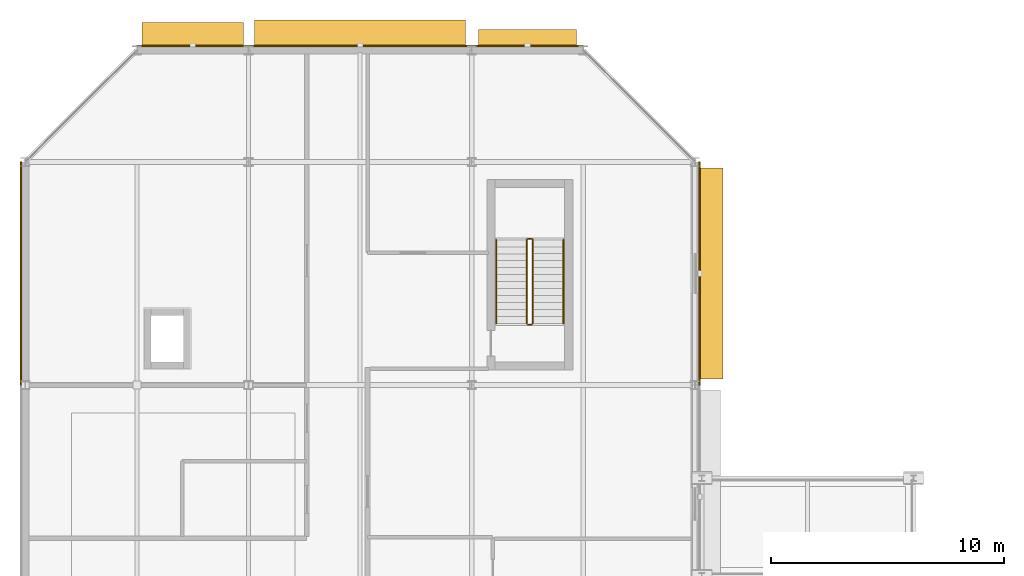
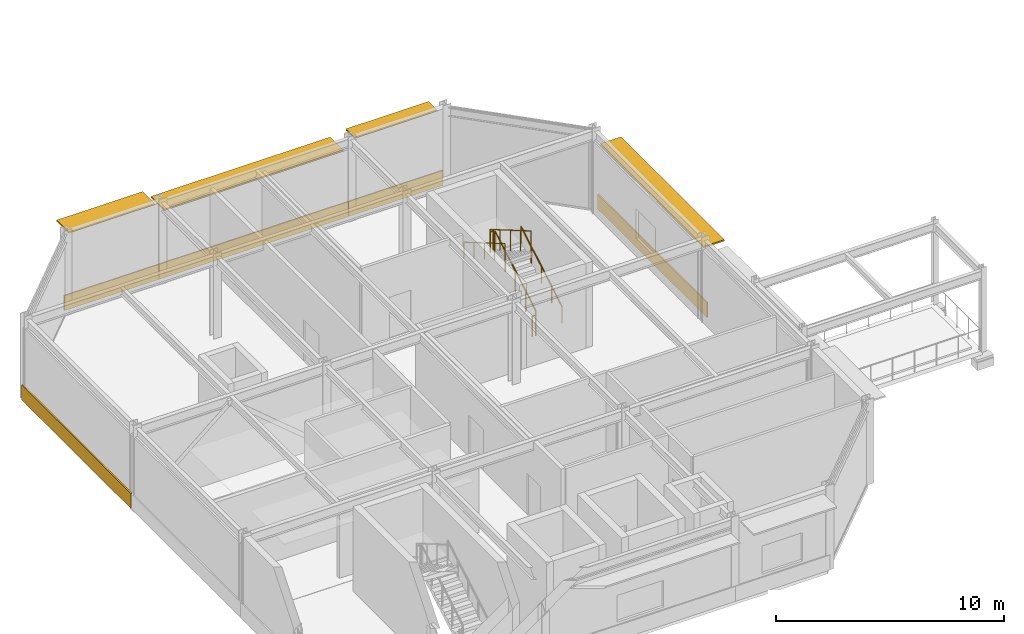
# One storey, part 147 of 157: 6 railings, 5 coverings, 4 shading devices.
"""IFC4 building model written with IfcOpenShell, lengths in metres."""

from ifc_helpers import new_model, si_unit, direction, frame, origin, origin_2d, place, context, subcontext, project, spatial, rectangle, circle, extrude, material, layer, layer_set, type_object, element, save


model = new_model("IFC4")

# Units and contexts
model_context = context("Model", 3, precision=1e-05, world=origin(), true_north=direction((0.0, 1.0)))
body_context = subcontext(model_context, "Body", "Model", "MODEL_VIEW")
ifc_project = project(units=[si_unit("LENGTHUNIT", "METRE"), si_unit("AREAUNIT", "SQUARE_METRE"), si_unit("VOLUMEUNIT", "CUBIC_METRE"), si_unit("PLANEANGLEUNIT", "RADIAN"), si_unit("MASSUNIT", "GRAM", prefix="KILO")], contexts=[model_context])

# Site, building, storey
site_placement = place(None, origin())
site = spatial("IfcSite", under=ifc_project, at=site_placement, CompositionType="ELEMENT")
building_placement = place(site_placement, origin())
building = spatial("IfcBuilding", under=site, at=building_placement, Name="Almandine Court Research Institute", CompositionType="ELEMENT")
storey_placement = place(building_placement, frame((0.0, 0.0, 5.25)))
storey = spatial("IfcBuildingStorey", under=building, at=storey_placement, Name="L01", CompositionType="ELEMENT", Elevation=5.25)

# Coverings
ifc_material_1 = material(Name="Honed Andean Red-Buff Sandstone Cladding", Category="masonry")
ifc_layer_1 = layer(ifc_material_1, 0.06494140625)
ifc_layer_set_1 = layer_set([ifc_layer_1], Name="Honed Andean Red-Buff Sandstone Cladding")
covering_type = type_object("IfcCoveringType", Name="Cov-CLAD-SAND", PredefinedType="CLADDING", material=ifc_layer_set_1)
covering_1_placement = place(storey_placement, frame((5.806884765625, 108.0, 0.02001953125), z_axis=(0.0, 0.0, 1.0), x_axis=(0.0, 1.0, 0.0)))
element("IfcCovering", 1, at=covering_1_placement, inside=storey, type_object=covering_type, Name="L01 Facade Spandrel Cladding Band 48", PredefinedType="CLADDING", context=body_context, shape_type="SweptSolid", body=[
    extrude(rectangle(XDim=9.592041015625, YDim=0.06494140625, at=origin_2d()), origin(), (0.0, 0.0, 1.0), 0.800048828125),
])
covering_2_placement = place(storey_placement, frame((13.199951171875, 117.79296875, 0.02001953125), z_axis=(0.0, 0.0, 1.0), x_axis=(1.0, 0.0, 0.0)))
element("IfcCovering", 2, at=covering_2_placement, inside=storey, type_object=covering_type, Name="L01 Facade Spandrel Cladding Band 49", PredefinedType="CLADDING", context=body_context, shape_type="SweptSolid", body=[
    extrude(rectangle(XDim=4.7919921875, YDim=0.06494140625, at=origin_2d()), origin(), (0.0, 0.0, 1.0), 0.800048828125),
])
covering_3_placement = place(storey_placement, frame((20.39990234375, 117.79296875, 0.02001953125), z_axis=(0.0, 0.0, 1.0), x_axis=(1.0, 0.0, 0.0)))
element("IfcCovering", 3, at=covering_3_placement, inside=storey, type_object=covering_type, Name="L01 Facade Spandrel Cladding Band 50", PredefinedType="CLADDING", context=body_context, shape_type="SweptSolid", body=[
    extrude(rectangle(XDim=9.592041015625, YDim=0.06494140625, at=origin_2d()), origin(), (0.0, 0.0, 1.0), 0.800048828125),
])
covering_4_placement = place(storey_placement, frame((27.60009765625, 117.79296875, 0.02001953125), z_axis=(0.0, 0.0, 1.0), x_axis=(1.0, 0.0, 0.0)))
element("IfcCovering", 4, at=covering_4_placement, inside=storey, type_object=covering_type, Name="L01 Facade Spandrel Cladding Band 51", PredefinedType="CLADDING", context=body_context, shape_type="SweptSolid", body=[
    extrude(rectangle(XDim=4.7919921875, YDim=0.06494140625, at=origin_2d()), origin(), (0.0, 0.0, 1.0), 0.800048828125),
])
covering_5_placement = place(storey_placement, frame((34.992919921875, 108.0, 0.02001953125), z_axis=(0.0, 0.0, 1.0), x_axis=(0.0, -1.0, 0.0)))
element("IfcCovering", 5, at=covering_5_placement, inside=storey, type_object=covering_type, Name="L01 Facade Spandrel Cladding Band 54", PredefinedType="CLADDING", context=body_context, shape_type="SweptSolid", body=[
    extrude(rectangle(XDim=9.592041015625, YDim=0.06494140625, at=origin_2d()), origin(), (0.0, 0.0, 1.0), 0.800048828125),
])

# Railings
ifc_material_2 = material(Name="Powder-Coated Steel Stair and Atrium Balustrade", Category="steel")
railing_type_1 = type_object("IfcRailingType", Name="Rail-GUARD-INT", PredefinedType="BALUSTRADE", material=ifc_material_2)
railing_1_placement = place(storey_placement, frame((27.830078125, 105.85009765625, 0.175048828125)))
element("IfcRailing", 6, at=railing_1_placement, inside=storey, type_object=railing_type_1, Name="L01 ST-06 stair guard 1", PredefinedType="BALUSTRADE", context=body_context, shape_type="SweptSolid", body=[
    extrude(circle(Radius=0.02392578125, at=origin_2d()), frame((0.0, 0.0, 1.09619140625), z_axis=(0.0, 0.86378527499, 0.503860098351), x_axis=(-1.0, 0.0, 0.0)), (0.0, 0.0, 1.0), 4.16748046875),
    extrude(circle(Radius=0.02099609375, at=origin_2d()), origin(), (0.0, 0.0, 1.0), 1.072021484375),
    extrude(circle(Radius=0.02099609375, at=origin_2d()), frame((0.0, 0.89990234375, 0.52490234375)), (0.0, 0.0, 1.0), 1.072021484375),
    extrude(circle(Radius=0.02099609375, at=origin_2d()), frame((0.0, 1.7998046875, 1.0498046875)), (0.0, 0.0, 1.0), 1.072021484375),
    extrude(circle(Radius=0.02099609375, at=origin_2d()), frame((0.0, 2.699951171875, 1.574951171875)), (0.0, 0.0, 1.0), 1.072021484375),
    extrude(circle(Radius=0.02099609375, at=origin_2d()), frame((0.0, 3.599853515625, 2.099853515625)), (0.0, 0.0, 1.0), 1.072021484375),
])
railing_2_placement = place(storey_placement, frame((27.780029296875, 109.5, 2.27490234375)))
element("IfcRailing", 7, at=railing_2_placement, inside=storey, type_object=railing_type_1, Name="L01 ST-06 stair guard 2", PredefinedType="BALUSTRADE", context=body_context, shape_type="SweptSolid", body=[
    extrude(circle(Radius=0.02392578125, at=origin_2d()), frame((0.0, 0.0, 1.09619140625), z_axis=(-1.0, 0.0, 0.0), x_axis=(0.0, -1.0, 0.0)), (0.0, 0.0, 1.0), 0.159912109375),
    extrude(circle(Radius=0.02099609375, at=origin_2d()), origin(), (0.0, 0.0, 1.0), 1.072021484375),
    extrude(circle(Radius=0.02099609375, at=origin_2d()), frame((-0.159912109375, 0.0, 0.0)), (0.0, 0.0, 1.0), 1.072021484375),
])
railing_3_placement = place(storey_placement, frame((27.570068359375, 109.449951171875, 2.449951171875)))
element("IfcRailing", 8, at=railing_3_placement, inside=storey, type_object=railing_type_1, Name="L01 ST-06 stair guard 3", PredefinedType="BALUSTRADE", context=body_context, shape_type="SweptSolid", body=[
    extrude(circle(Radius=0.02392578125, at=origin_2d()), frame((0.0, 0.0, 1.09619140625), z_axis=(0.0, -0.863759778359, 0.503903805591), x_axis=(1.0, 0.0, 0.0)), (0.0, 0.0, 1.0), 4.167724609375),
    extrude(circle(Radius=0.02099609375, at=origin_2d()), origin(), (0.0, 0.0, 1.0), 1.072021484375),
    extrude(circle(Radius=0.02099609375, at=origin_2d()), frame((0.0, -0.89990234375, 0.52490234375)), (0.0, 0.0, 1.0), 1.072021484375),
    extrude(circle(Radius=0.02099609375, at=origin_2d()), frame((0.0, -1.7998046875, 1.050048828125)), (0.0, 0.0, 1.0), 1.072021484375),
    extrude(circle(Radius=0.02099609375, at=origin_2d()), frame((0.0, -2.699951171875, 1.5751953125)), (0.0, 0.0, 1.0), 1.072021484375),
    extrude(circle(Radius=0.02099609375, at=origin_2d()), frame((0.0, -3.599853515625, 2.10009765625)), (0.0, 0.0, 1.0), 1.072021484375),
])
railing_4_placement = place(storey_placement, frame((27.780029296875, 105.800048828125, 0.0)))
element("IfcRailing", 9, at=railing_4_placement, inside=storey, type_object=railing_type_1, Name="L01 ST-06 stair guard 4", PredefinedType="BALUSTRADE", context=body_context, shape_type="SweptSolid", body=[
    extrude(circle(Radius=0.02392578125, at=origin_2d()), frame((0.0, 0.0, 1.09619140625), z_axis=(-1.0, 0.0, 0.0), x_axis=(0.0, -1.0, 0.0)), (0.0, 0.0, 1.0), 0.159912109375),
    extrude(circle(Radius=0.02099609375, at=origin_2d()), origin(), (0.0, 0.0, 1.0), 1.072021484375),
    extrude(circle(Radius=0.02099609375, at=origin_2d()), frame((-0.159912109375, 0.0, 0.0)), (0.0, 0.0, 1.0), 1.072021484375),
])
ifc_material_3 = material(Name="Brushed Stainless Steel Wall Handrail", Category="steel")
railing_type_2 = type_object("IfcRailingType", Name="Rail-HAND-INT", PredefinedType="HANDRAIL", material=ifc_material_3)
railing_5_placement = place(storey_placement, frame((29.14990234375, 105.85009765625, 0.175048828125)))
element("IfcRailing", 10, at=railing_5_placement, inside=storey, type_object=railing_type_2, Name="L01 ST-06 stair handrail 1", PredefinedType="HANDRAIL", context=body_context, shape_type="SweptSolid", body=[
    extrude(circle(Radius=0.02392578125, at=origin_2d()), frame((0.0, 0.0, 0.8759765625), z_axis=(0.0, 0.86378527499, 0.503860098351), x_axis=(-1.0, 0.0, 0.0)), (0.0, 0.0, 1.0), 4.16748046875),
    extrude(circle(Radius=0.02099609375, at=origin_2d()), origin(), (0.0, 0.0, 1.0), 0.851806640625),
    extrude(circle(Radius=0.02099609375, at=origin_2d()), frame((0.0, 0.89990234375, 0.52490234375)), (0.0, 0.0, 1.0), 0.851806640625),
    extrude(circle(Radius=0.02099609375, at=origin_2d()), frame((0.0, 1.7998046875, 1.0498046875)), (0.0, 0.0, 1.0), 0.851806640625),
    extrude(circle(Radius=0.02099609375, at=origin_2d()), frame((0.0, 2.699951171875, 1.574951171875)), (0.0, 0.0, 1.0), 0.851806640625),
    extrude(circle(Radius=0.02099609375, at=origin_2d()), frame((0.0, 3.599853515625, 2.099853515625)), (0.0, 0.0, 1.0), 0.851806640625),
])
railing_6_placement = place(storey_placement, frame((26.25, 109.449951171875, 2.449951171875)))
element("IfcRailing", 11, at=railing_6_placement, inside=storey, type_object=railing_type_2, Name="L01 ST-06 stair handrail 2", PredefinedType="HANDRAIL", context=body_context, shape_type="SweptSolid", body=[
    extrude(circle(Radius=0.02392578125, at=origin_2d()), frame((0.0, 0.0, 0.8759765625), z_axis=(0.0, -0.863759778359, 0.503903805591), x_axis=(1.0, 0.0, 0.0)), (0.0, 0.0, 1.0), 4.167724609375),
    extrude(circle(Radius=0.02099609375, at=origin_2d()), origin(), (0.0, 0.0, 1.0), 0.851806640625),
    extrude(circle(Radius=0.02099609375, at=origin_2d()), frame((0.0, -0.89990234375, 0.52490234375)), (0.0, 0.0, 1.0), 0.851806640625),
    extrude(circle(Radius=0.02099609375, at=origin_2d()), frame((0.0, -1.7998046875, 1.050048828125)), (0.0, 0.0, 1.0), 0.851806640625),
    extrude(circle(Radius=0.02099609375, at=origin_2d()), frame((0.0, -2.699951171875, 1.5751953125)), (0.0, 0.0, 1.0), 0.851806640625),
    extrude(circle(Radius=0.02099609375, at=origin_2d()), frame((0.0, -3.599853515625, 2.10009765625)), (0.0, 0.0, 1.0), 0.851806640625),
])

# Shading devices
ifc_material_4 = material(Name="Precast GFRC Chhajja Sunshade and Acoustic Louvre", Category="concrete")
ifc_layer_2 = layer(ifc_material_4, 0.080078125)
ifc_layer_set_2 = layer_set([ifc_layer_2], Name="Precast GFRC Chhajja Sunshade and Acoustic Louvre")
shading_device_type_1 = type_object("IfcShadingDeviceType", Name="Shd-SD-06", PredefinedType="AWNING", material=ifc_layer_set_2)
shading_device_1_placement = place(storey_placement, frame((35.47705078125, 108.0, 3.60400390625), z_axis=(0.0, 0.0, 1.0), x_axis=(0.0, -1.0, 0.0)))
element("IfcShadingDevice", 12, at=shading_device_1_placement, inside=storey, type_object=shading_device_type_1, Name="L01 Projecting Chhajja Sunshade 26", PredefinedType="AWNING", context=body_context, shape_type="SweptSolid", body=[
    extrude(rectangle(XDim=9.08203125, YDim=1.050048828125, at=origin_2d()), origin(), (0.0, 0.0, 1.0), 0.080078125),
])
ifc_layer_3 = layer(ifc_material_4, 0.080078125)
ifc_layer_set_3 = layer_set([ifc_layer_3], Name="Precast GFRC Chhajja Sunshade and Acoustic Louvre")
shading_device_type_2 = type_object("IfcShadingDeviceType", Name="Shd-SD-16", PredefinedType="AWNING", material=ifc_layer_set_3)
shading_device_2_placement = place(storey_placement, frame((13.199951171875, 118.277099609375, 4.08984375), z_axis=(0.0, 0.0, 1.0), x_axis=(1.0, 0.0, 0.0)))
element("IfcShadingDevice", 13, at=shading_device_2_placement, inside=storey, type_object=shading_device_type_2, Name="L01 Projecting Chhajja Sunshade 21", PredefinedType="AWNING", context=body_context, shape_type="SweptSolid", body=[
    extrude(rectangle(XDim=4.362060546875, YDim=1.050048828125, at=origin_2d()), origin(), (0.0, 0.0, 1.0), 0.080078125),
])
ifc_layer_4 = layer(ifc_material_4, 0.080078125)
ifc_layer_set_4 = layer_set([ifc_layer_4], Name="Precast GFRC Chhajja Sunshade and Acoustic Louvre")
shading_device_type_3 = type_object("IfcShadingDeviceType", Name="Shd-SD-17", PredefinedType="AWNING", material=ifc_layer_set_4)
shading_device_3_placement = place(storey_placement, frame((20.39990234375, 118.327880859375, 3.60400390625), z_axis=(0.0, 0.0, 1.0), x_axis=(1.0, 0.0, 0.0)))
element("IfcShadingDevice", 14, at=shading_device_3_placement, inside=storey, type_object=shading_device_type_3, Name="L01 Projecting Chhajja Sunshade 22", PredefinedType="AWNING", context=body_context, shape_type="SweptSolid", body=[
    extrude(rectangle(XDim=9.08203125, YDim=1.14990234375, at=origin_2d()), origin(), (0.0, 0.0, 1.0), 0.080078125),
])
ifc_layer_5 = layer(ifc_material_4, 0.080078125)
ifc_layer_set_5 = layer_set([ifc_layer_5], Name="Precast GFRC Chhajja Sunshade and Acoustic Louvre")
shading_device_type_4 = type_object("IfcShadingDeviceType", Name="Shd-SD-18", PredefinedType="AWNING", material=ifc_layer_set_5)
shading_device_4_placement = place(storey_placement, frame((27.60009765625, 118.126953125, 4.08984375), z_axis=(0.0, 0.0, 1.0), x_axis=(1.0, 0.0, 0.0)))
element("IfcShadingDevice", 15, at=shading_device_4_placement, inside=storey, type_object=shading_device_type_4, Name="L01 Projecting Chhajja Sunshade 23", PredefinedType="AWNING", context=body_context, shape_type="SweptSolid", body=[
    extrude(rectangle(XDim=4.201904296875, YDim=0.75, at=origin_2d()), origin(), (0.0, 0.0, 1.0), 0.080078125),
])

save(model, "model.ifc")
